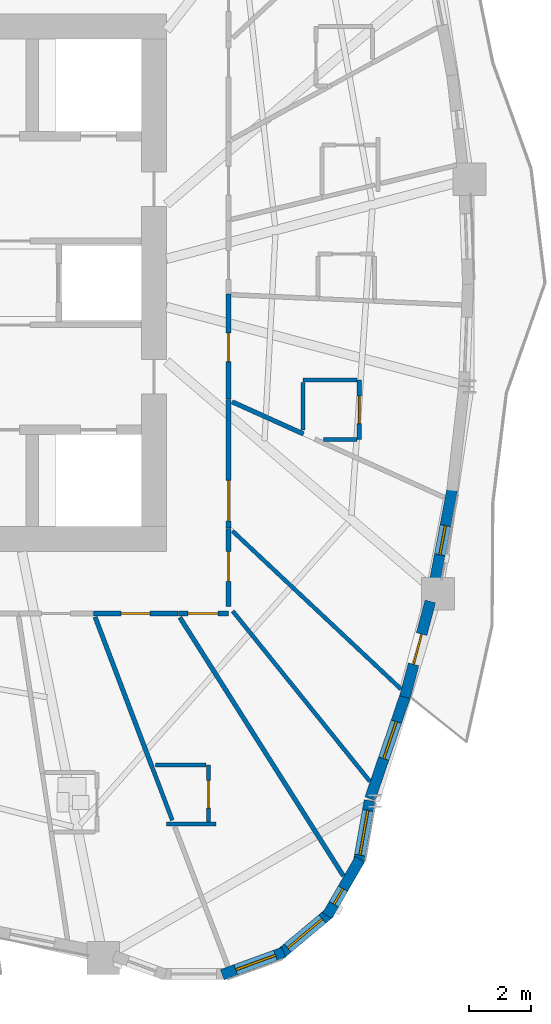
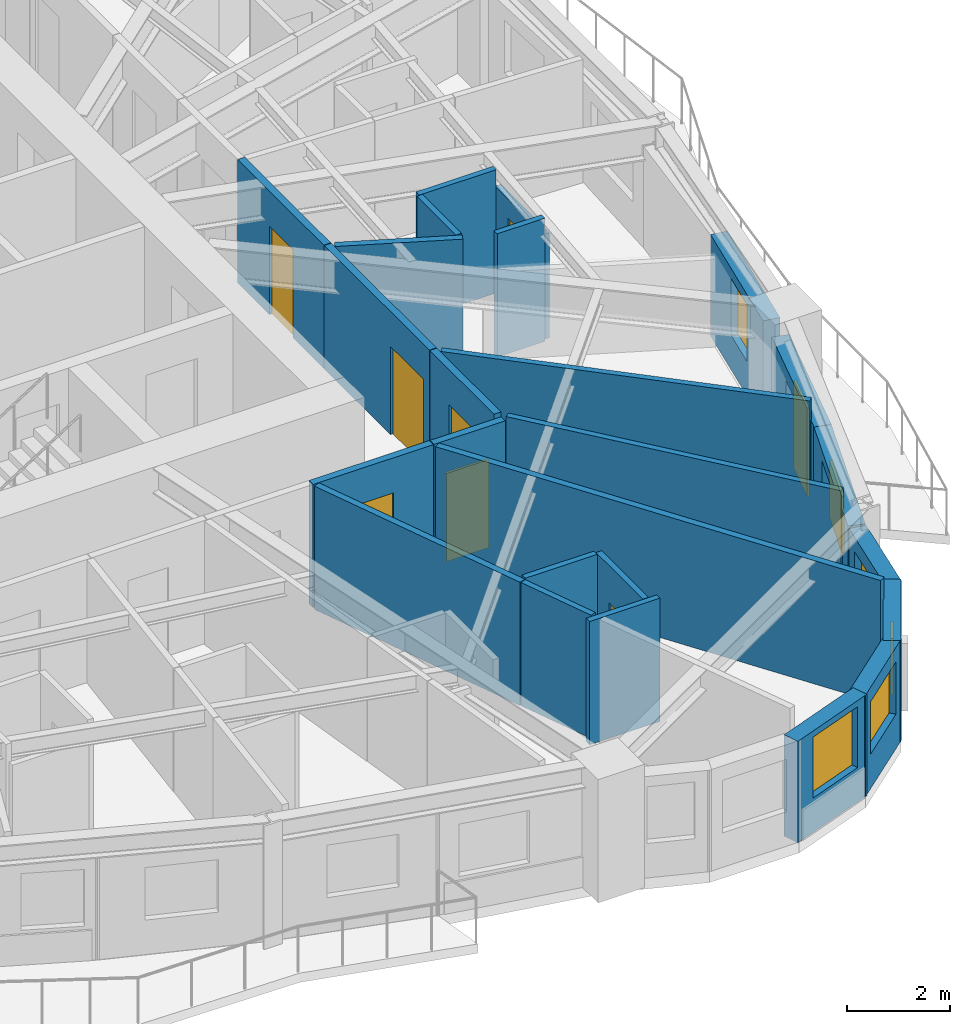
# One storey, part 6 of 14: 25 walls, 8 doors, 6 windows, 14 openings.
"""IFC4 building model written with IfcOpenShell, lengths in metres."""

from ifc_helpers import new_model, si_unit, direction, frame, frame_2d, origin, place, context, subcontext, project, spatial, rectangle, extrude, source, transform, mapped, material, layer, layer_set, type_object, element, fill, save


model = new_model("IFC4")

# Units and contexts
model_context = context("Model", 3, precision=1e-05, world=origin(), true_north=direction((0.0, 1.0)))
body_context = subcontext(model_context, "Body", "Model", "MODEL_VIEW")
ifc_project = project(units=[si_unit("LENGTHUNIT", "METRE"), si_unit("AREAUNIT", "SQUARE_METRE"), si_unit("VOLUMEUNIT", "CUBIC_METRE"), si_unit("PLANEANGLEUNIT", "RADIAN"), si_unit("MASSUNIT", "GRAM", prefix="KILO")], contexts=[model_context])

# Site, building, storey
site_placement = place(None, origin())
site = spatial("IfcSite", under=ifc_project, at=site_placement, CompositionType="ELEMENT")
building_placement = place(site_placement, origin())
building = spatial("IfcBuilding", under=site, at=building_placement, Name="Qafzar Sky-Pleat Residences", CompositionType="ELEMENT")
storey_placement = place(building_placement, frame((0.0, 0.0, 23.800048828125)))
storey = spatial("IfcBuildingStorey", under=building, at=storey_placement, Name="L06", CompositionType="ELEMENT", Elevation=23.800048828125)

# Wall, opening, door
ifc_material_1 = material(Name="Acoustic gypsum plasterboard partition", Category="gypsum")
ifc_layer_1 = layer(ifc_material_1, 0.159912109375)
ifc_layer_set_1 = layer_set([ifc_layer_1], Name="Acoustic gypsum plasterboard partition")
wall_type_1 = type_object("IfcWallType", Name="PART-COR-160", PredefinedType="PARTITIONING", material=ifc_layer_set_1)
wall_1_placement = place(storey_placement, frame((38.679931640625, 22.263916015625, 0.0), z_axis=(0.0, 0.0, 1.0), x_axis=(0.0, -1.0, 0.0)))
wall_1 = element("IfcWall", 1, at=wall_1_placement, inside=storey, type_object=wall_type_1, Name="L06 Partition Wall PART-L06-PW-004", PredefinedType="PARTITIONING", context=body_context, shape_type="SweptSolid", body=[
    extrude(rectangle(XDim=4.101806640625, YDim=0.159912109375, at=frame_2d((2.05078125, 0.0))), origin(), (0.0, 0.0, 1.0), 2.93505859375),
])
opening_1_placement = place(wall_1_placement, frame((2.58203125, 0.0, 0.0)))
opening_1 = element("IfcOpeningElement", 2, at=opening_1_placement, cuts=wall_1, Name="Opening ID-05", PredefinedType="OPENING", context=body_context, shape_type="SweptSolid", body=[
    extrude(rectangle(XDim=1.300048828125, YDim=2.10009765625, at=frame_2d((0.64990234375, 1.050048828125))), frame((0.0, 0.08984375, 0.0), z_axis=(0.0, -1.0, 0.0), x_axis=(1.0, 0.0, 0.0)), (0.0, 0.0, 1.0), 0.179931640625),
])
ifc_material_2 = material(Name="Timber-faced fire door", Category="wood")
door_type_1 = type_object("IfcDoorType", Name="DR-LNG-1300", OperationType="DOUBLE_DOOR_SINGLE_SWING", PredefinedType="DOOR", material=ifc_material_2)
shared_shape_1 = source(origin(), body_context, "Body", "SweptSolid", [
    extrude(rectangle(XDim=1.300048828125, YDim=2.10009765625, at=frame_2d((0.64990234375, 1.050048828125))), frame((0.0, 0.02490234375, 0.0), z_axis=(0.0, -1.0, 0.0), x_axis=(1.0, 0.0, 0.0)), (0.0, 0.0, 1.0), 0.050048828125),
])
door_1_placement = place(opening_1_placement, origin())
door_1 = element("IfcDoor", 3, at=door_1_placement, inside=storey, type_object=door_type_1, Name="L06 Communal Kitchen Door", OperationType="DOUBLE_DOOR_SINGLE_SWING", OverallHeight=2.10009765625, OverallWidth=1.300048828125, PredefinedType="DOOR", context=body_context, shape_type="MappedRepresentation", body=[
    mapped(shared_shape_1, transform((0.0, 0.0, 0.0), x_axis=(1.0, 0.0, 0.0), y_axis=(0.0, 1.0, 0.0), z_axis=(0.0, 0.0, 1.0), scale=1.0)),
])
fill(opening_1, door_1)

wall_2_placement = place(storey_placement, frame((38.679931640625, 25.64208984375, 0.0), z_axis=(0.0, 0.0, 1.0), x_axis=(0.0, -1.0, 0.0)))
wall_2 = element("IfcWall", 4, at=wall_2_placement, inside=storey, type_object=wall_type_1, Name="L06 Partition Wall PART-L06-PW-006", PredefinedType="PARTITIONING", context=body_context, shape_type="SweptSolid", body=[
    extrude(rectangle(XDim=3.363037109375, YDim=0.159912109375, at=frame_2d((1.681640625, 0.0))), origin(), (0.0, 0.0, 1.0), 2.93505859375),
])
opening_2_placement = place(wall_2_placement, frame((1.244384765625, 0.0, 0.0)))
opening_2 = element("IfcOpeningElement", 5, at=opening_2_placement, cuts=wall_2, Name="Opening ID-04", PredefinedType="OPENING", context=body_context, shape_type="SweptSolid", body=[
    extrude(rectangle(XDim=0.919921875, YDim=2.10009765625, at=frame_2d((0.4599609375, 1.050048828125))), frame((0.0, 0.08984375, 0.0), z_axis=(0.0, -1.0, 0.0), x_axis=(1.0, 0.0, 0.0)), (0.0, 0.0, 1.0), 0.179931640625),
])
door_type_2 = type_object("IfcDoorType", Name="DR-BED-920", OperationType="NOTDEFINED", PredefinedType="DOOR", material=ifc_material_2)
shared_shape_2 = source(origin(), body_context, "Body", "SweptSolid", [
    extrude(rectangle(XDim=0.919921875, YDim=2.10009765625, at=frame_2d((0.4599609375, 1.050048828125))), frame((0.0, 0.02490234375, 0.0), z_axis=(0.0, -1.0, 0.0), x_axis=(1.0, 0.0, 0.0)), (0.0, 0.0, 1.0), 0.050048828125),
])
door_2_placement = place(opening_2_placement, origin())
door_2 = element("IfcDoor", 6, at=door_2_placement, inside=storey, type_object=door_type_2, Name="L06 Co-Living Bedroom 10 Door", OperationType="SINGLE_SWING_LEFT", OverallHeight=2.10009765625, OverallWidth=0.919921875, PredefinedType="DOOR", context=body_context, shape_type="MappedRepresentation", body=[
    mapped(shared_shape_2, transform((0.0, 0.0, 0.0), x_axis=(1.0, 0.0, 0.0), y_axis=(0.0, 1.0, 0.0), z_axis=(0.0, 0.0, 1.0), scale=1.0)),
])
fill(opening_2, door_2)

wall_3_placement = place(storey_placement, frame((37.06298828125, 15.419921875, 0.0), z_axis=(0.0, 0.0, 1.0), x_axis=(-1.0, 0.0, 0.0)))
wall_3 = element("IfcWall", 7, at=wall_3_placement, inside=storey, type_object=wall_type_1, Name="L06 Partition Wall PART-L06-PW-010", PredefinedType="PARTITIONING", context=body_context, shape_type="SweptSolid", body=[
    extrude(rectangle(XDim=2.708984375, YDim=0.159912109375, at=frame_2d((1.3544921875, 0.0))), origin(), (0.0, 0.0, 1.0), 2.93505859375),
])
opening_3_placement = place(wall_3_placement, frame((0.8955078125, 0.0, 0.0)))
opening_3 = element("IfcOpeningElement", 8, at=opening_3_placement, cuts=wall_3, Name="Opening ID-04", PredefinedType="OPENING", context=body_context, shape_type="SweptSolid", body=[
    extrude(rectangle(XDim=0.919921875, YDim=2.10009765625, at=frame_2d((0.4599609375, 1.050048828125))), frame((0.0, 0.08984375, 0.0), z_axis=(0.0, -1.0, 0.0), x_axis=(1.0, 0.0, 0.0)), (0.0, 0.0, 1.0), 0.179931640625),
])
door_3_placement = place(opening_3_placement, origin())
door_3 = element("IfcDoor", 9, at=door_3_placement, inside=storey, type_object=door_type_2, Name="L06 Co-Living Bedroom 9 Door", OperationType="SINGLE_SWING_LEFT", OverallHeight=2.10009765625, OverallWidth=0.919921875, PredefinedType="DOOR", context=body_context, shape_type="MappedRepresentation", body=[
    mapped(shared_shape_2, transform((0.0, 0.0, 0.0), x_axis=(1.0, 0.0, 0.0), y_axis=(0.0, 1.0, 0.0), z_axis=(0.0, 0.0, 1.0), scale=1.0)),
])
fill(opening_3, door_3)

wall_4_placement = place(storey_placement, frame((38.679931640625, 18.14697265625, 0.0), z_axis=(0.0, 0.0, 1.0), x_axis=(0.0, -1.0, 0.0)))
wall_4 = element("IfcWall", 10, at=wall_4_placement, inside=storey, type_object=wall_type_1, Name="L06 Partition Wall PART-L06-PW-013", PredefinedType="PARTITIONING", context=body_context, shape_type="SweptSolid", body=[
    extrude(rectangle(XDim=2.5048828125, YDim=0.159912109375, at=frame_2d((1.25244140625, 0.0))), origin(), (0.0, 0.0, 1.0), 2.93505859375),
])
opening_4_placement = place(wall_4_placement, frame((0.74755859375, 0.0, 0.0)))
opening_4 = element("IfcOpeningElement", 11, at=opening_4_placement, cuts=wall_4, Name="Opening ID-08", PredefinedType="OPENING", context=body_context, shape_type="SweptSolid", body=[
    extrude(rectangle(XDim=0.949951171875, YDim=2.10009765625, at=frame_2d((0.47509765625, 1.050048828125))), frame((0.0, 0.08984375, 0.0), z_axis=(0.0, -1.0, 0.0), x_axis=(1.0, 0.0, 0.0)), (0.0, 0.0, 1.0), 0.179931640625),
])
door_type_3 = type_object("IfcDoorType", Name="DR-AWC-950", OperationType="NOTDEFINED", PredefinedType="DOOR", material=ifc_material_2)
shared_shape_3 = source(origin(), body_context, "Body", "SweptSolid", [
    extrude(rectangle(XDim=0.949951171875, YDim=2.10009765625, at=frame_2d((0.47509765625, 1.050048828125))), frame((0.0, 0.02490234375, 0.0), z_axis=(0.0, -1.0, 0.0), x_axis=(1.0, 0.0, 0.0)), (0.0, 0.0, 1.0), 0.050048828125),
])
door_4_placement = place(opening_4_placement, origin())
door_4 = element("IfcDoor", 12, at=door_4_placement, inside=storey, type_object=door_type_3, Name="L06 Accessible Shared Washroom Door", OperationType="SINGLE_SWING_RIGHT", OverallHeight=2.10009765625, OverallWidth=0.949951171875, PredefinedType="DOOR", context=body_context, shape_type="MappedRepresentation", body=[
    mapped(shared_shape_3, transform((0.0, 0.0, 0.0), x_axis=(1.0, 0.0, 0.0), y_axis=(0.0, 1.0, 0.0), z_axis=(0.0, 0.0, 1.0), scale=1.0)),
])
fill(opening_4, door_4)

wall_5_placement = place(storey_placement, frame((38.679931640625, 15.419921875, 0.0), z_axis=(0.0, 0.0, 1.0), x_axis=(-1.0, 0.0, 0.0)))
wall_5 = element("IfcWall", 13, at=wall_5_placement, inside=storey, type_object=wall_type_1, Name="L06 Partition Wall PART-L06-PW-031", PredefinedType="PARTITIONING", context=body_context, shape_type="SweptSolid", body=[
    extrude(rectangle(XDim=1.60205078125, YDim=0.159912109375, at=frame_2d((0.801025390625, 0.0))), origin(), (0.0, 0.0, 1.0), 2.93505859375),
])
opening_5_placement = place(wall_5_placement, frame((0.33740234375, 0.0, 0.0)))
opening_5 = element("IfcOpeningElement", 14, at=opening_5_placement, cuts=wall_5, Name="Opening ID-06", PredefinedType="OPENING", context=body_context, shape_type="SweptSolid", body=[
    extrude(rectangle(XDim=0.9599609375, YDim=2.10009765625, at=frame_2d((0.47998046875, 1.050048828125))), frame((0.0, 0.08984375, 0.0), z_axis=(0.0, -1.0, 0.0), x_axis=(1.0, 0.0, 0.0)), (0.0, 0.0, 1.0), 0.179931640625),
])
door_type_4 = type_object("IfcDoorType", Name="DR-STD-960", OperationType="NOTDEFINED", PredefinedType="DOOR", material=ifc_material_2)
shared_shape_4 = source(origin(), body_context, "Body", "SweptSolid", [
    extrude(rectangle(XDim=0.9599609375, YDim=2.10009765625, at=frame_2d((0.47998046875, 1.050048828125))), frame((0.0, 0.02490234375, 0.0), z_axis=(0.0, -1.0, 0.0), x_axis=(1.0, 0.0, 0.0)), (0.0, 0.0, 1.0), 0.050048828125),
])
door_5_placement = place(opening_5_placement, origin())
door_5 = element("IfcDoor", 15, at=door_5_placement, inside=storey, type_object=door_type_4, Name="L06 Scholar Study Room Door", OperationType="SINGLE_SWING_RIGHT", OverallHeight=2.10009765625, OverallWidth=0.9599609375, PredefinedType="DOOR", context=body_context, shape_type="MappedRepresentation", body=[
    mapped(shared_shape_4, transform((0.0, 0.0, 0.0), x_axis=(1.0, 0.0, 0.0), y_axis=(0.0, 1.0, 0.0), z_axis=(0.0, 0.0, 1.0), scale=1.0)),
])
fill(opening_5, door_5)

# Walls
ifc_layer_2 = layer(ifc_material_1, 0.14501953125)
ifc_layer_set_2 = layer_set([ifc_layer_2], Name="Acoustic gypsum plasterboard partition")
wall_type_2 = type_object("IfcWallType", Name="PART-UNIT-145", PredefinedType="PARTITIONING", material=ifc_layer_set_2)
wall_6_placement = place(storey_placement, frame((37.12451171875, 15.29443359375, 0.0), z_axis=(0.0, 0.0, 1.0), x_axis=(0.534743765269, -0.845014263492, 0.0)))
element("IfcWall", 16, at=wall_6_placement, inside=storey, type_object=wall_type_2, Name="L06 Partition Wall PART-L06-PW-040", PredefinedType="PARTITIONING", context=body_context, shape_type="SweptSolid", body=[
    extrude(rectangle(XDim=9.79736328125, YDim=0.14501953125, at=frame_2d((4.898681640625, 0.0))), origin(), (0.0, 0.0, 1.0), 2.93505859375),
])
wall_7_placement = place(storey_placement, frame((34.4130859375, 15.306884765625, 0.0), z_axis=(0.0, 0.0, 1.0), x_axis=(0.355171610573, -0.934801116304, 0.0)))
element("IfcWall", 17, at=wall_7_placement, inside=storey, type_object=wall_type_2, Name="L06 Partition Wall PART-L06-PW-048", PredefinedType="PARTITIONING", context=body_context, shape_type="SweptSolid", body=[
    extrude(rectangle(XDim=5.177490234375, YDim=0.14501953125, at=frame_2d((2.5888671875, 0.0))), origin(), (0.0, 0.0, 1.0), 2.93505859375),
])
wall_8_placement = place(storey_placement, frame((38.797119140625, 22.1953125, 0.0), z_axis=(0.0, 0.0, 1.0), x_axis=(0.911759201305, -0.410725162165, 0.0)))
element("IfcWall", 18, at=wall_8_placement, inside=storey, type_object=wall_type_2, Name="L06 Partition Wall PART-L06-PW-063", PredefinedType="PARTITIONING", context=body_context, shape_type="SweptSolid", body=[
    extrude(rectangle(XDim=2.506103515625, YDim=0.14501953125, at=frame_2d((1.2529296875, 0.0))), origin(), (0.0, 0.0, 1.0), 2.93505859375),
])

# Wall, opening, door
ifc_material_3 = material(Name="Moisture-resistant gypsum partition", Category="gypsum")
ifc_layer_3 = layer(ifc_material_3, 0.1298828125)
ifc_layer_set_3 = layer_set([ifc_layer_3], Name="Moisture-resistant gypsum partition")
wall_type_3 = type_object("IfcWallType", Name="PART-WET-130", PredefinedType="PARTITIONING", material=ifc_layer_set_3)
wall_9_placement = place(storey_placement, frame((38.037109375, 8.75, 0.0), z_axis=(0.0, 0.0, 1.0), x_axis=(0.0, 1.0, 0.0)))
wall_9 = element("IfcWall", 19, at=wall_9_placement, inside=storey, type_object=wall_type_3, Name="L06 Partition Wall PART-L06-PW-020", PredefinedType="PARTITIONING", context=body_context, shape_type="SweptSolid", body=[
    extrude(rectangle(XDim=1.826904296875, YDim=0.1298828125, at=frame_2d((0.91357421875, 0.0))), origin(), (0.0, 0.0, 1.0), 2.93505859375),
])
opening_6_placement = place(wall_9_placement, frame((0.43701171875, 0.0, 0.0)))
opening_6 = element("IfcOpeningElement", 20, at=opening_6_placement, cuts=wall_9, Name="Opening ID-07", PredefinedType="OPENING", context=body_context, shape_type="SweptSolid", body=[
    extrude(rectangle(XDim=0.8798828125, YDim=2.050048828125, at=frame_2d((0.43994140625, 1.02490234375))), frame((0.0, 0.074951171875, 0.0), z_axis=(0.0, -1.0, 0.0), x_axis=(1.0, 0.0, 0.0)), (0.0, 0.0, 1.0), 0.14990234375),
])
door_type_5 = type_object("IfcDoorType", Name="DR-WET-880", OperationType="NOTDEFINED", PredefinedType="DOOR", material=ifc_material_2)
shared_shape_5 = source(origin(), body_context, "Body", "SweptSolid", [
    extrude(rectangle(XDim=0.8798828125, YDim=2.050048828125, at=frame_2d((0.43994140625, 1.02490234375))), frame((0.0, 0.02490234375, 0.0), z_axis=(0.0, -1.0, 0.0), x_axis=(1.0, 0.0, 0.0)), (0.0, 0.0, 1.0), 0.050048828125),
])
door_6_placement = place(opening_6_placement, origin())
door_6 = element("IfcDoor", 21, at=door_6_placement, inside=storey, type_object=door_type_5, Name="L06 En-suite Bathroom 9 Door", OperationType="SINGLE_SWING_LEFT", OverallHeight=2.050048828125, OverallWidth=0.8798828125, PredefinedType="DOOR", context=body_context, shape_type="MappedRepresentation", body=[
    mapped(shared_shape_5, transform((0.0, 0.0, 0.0), x_axis=(1.0, 0.0, 0.0), y_axis=(0.0, 1.0, 0.0), z_axis=(0.0, 0.0, 1.0), scale=1.0)),
])
fill(opening_6, door_6)

wall_10_placement = place(storey_placement, frame((42.866943359375, 20.986083984375, 0.0), z_axis=(0.0, 0.0, 1.0), x_axis=(0.0, 1.0, 0.0)))
wall_10 = element("IfcWall", 22, at=wall_10_placement, inside=storey, type_object=wall_type_3, Name="L06 Partition Wall PART-L06-PW-023", PredefinedType="PARTITIONING", context=body_context, shape_type="SweptSolid", body=[
    extrude(rectangle(XDim=1.89990234375, YDim=0.1298828125, at=frame_2d((0.949951171875, 0.0))), origin(), (0.0, 0.0, 1.0), 2.5029296875),
])
opening_7_placement = place(wall_10_placement, frame((0.510009765625, 0.0, 0.0)))
opening_7 = element("IfcOpeningElement", 23, at=opening_7_placement, cuts=wall_10, Name="Opening ID-07", PredefinedType="OPENING", context=body_context, shape_type="SweptSolid", body=[
    extrude(rectangle(XDim=0.8798828125, YDim=2.050048828125, at=frame_2d((0.43994140625, 1.02490234375))), frame((0.0, 0.074951171875, 0.0), z_axis=(0.0, -1.0, 0.0), x_axis=(1.0, 0.0, 0.0)), (0.0, 0.0, 1.0), 0.14990234375),
])
door_7_placement = place(opening_7_placement, origin())
door_7 = element("IfcDoor", 24, at=door_7_placement, inside=storey, type_object=door_type_5, Name="L06 En-suite Bathroom 10 Door", OperationType="SINGLE_SWING_RIGHT", OverallHeight=2.050048828125, OverallWidth=0.8798828125, PredefinedType="DOOR", context=body_context, shape_type="MappedRepresentation", body=[
    mapped(shared_shape_5, transform((0.0, 0.0, 0.0), x_axis=(1.0, 0.0, 0.0), y_axis=(0.0, 1.0, 0.0), z_axis=(0.0, 0.0, 1.0), scale=1.0)),
])
fill(opening_7, door_7)

# Walls
wall_11_placement = place(storey_placement, frame((38.810302734375, 18.060791015625, 0.0), z_axis=(0.0, 0.0, 1.0), x_axis=(0.729196389153, -0.684304483433, 0.0)))
element("IfcWall", 25, at=wall_11_placement, inside=storey, type_object=wall_type_3, Name="L06 Partition Wall PART-L06-PW-045", PredefinedType="PARTITIONING", context=body_context, shape_type="SweptSolid", body=[
    extrude(rectangle(XDim=7.396240234375, YDim=0.1298828125, at=frame_2d((3.6982421875, 0.0))), origin(), (0.0, 0.0, 1.0), 2.93505859375),
])
wall_12_placement = place(storey_placement, frame((38.815673828125, 15.497802734375, 0.0), z_axis=(0.0, 0.0, 1.0), x_axis=(0.627528755525, -0.778593386171, 0.0)))
element("IfcWall", 26, at=wall_12_placement, inside=storey, type_object=wall_type_3, Name="L06 Partition Wall PART-L06-PW-046", PredefinedType="PARTITIONING", context=body_context, shape_type="SweptSolid", body=[
    extrude(rectangle(XDim=6.997802734375, YDim=0.1298828125, at=frame_2d((3.4990234375, 0.0))), origin(), (0.0, 0.0, 1.0), 2.93505859375),
])
wall_13_placement = place(storey_placement, frame((36.25732421875, 10.452880859375, 0.0), z_axis=(0.0, 0.0, 1.0), x_axis=(0.355345777079, -0.934734924303, 0.0)))
element("IfcWall", 27, at=wall_13_placement, inside=storey, type_object=wall_type_3, Name="L06 Partition Wall PART-L06-PW-068", PredefinedType="PARTITIONING", context=body_context, shape_type="SweptSolid", body=[
    extrude(rectangle(XDim=1.766357421875, YDim=0.1298828125, at=frame_2d((0.88330078125, 0.0))), origin(), (0.0, 0.0, 1.0), 2.93505859375),
])
wall_14_placement = place(storey_placement, frame((36.347412109375, 10.576904296875, 0.0), z_axis=(0.0, 0.0, 1.0), x_axis=(1.0, 0.0, 0.0)))
element("IfcWall", 28, at=wall_14_placement, inside=storey, type_object=wall_type_3, Name="L06 Partition Wall PART-L06-PW-076", PredefinedType="PARTITIONING", context=body_context, shape_type="SweptSolid", body=[
    extrude(rectangle(XDim=1.61669921875, YDim=0.1298828125, at=frame_2d((0.808349609375, 0.0))), origin(), (0.0, 0.0, 1.0), 2.93505859375),
])
wall_15_placement = place(storey_placement, frame((41.06689453125, 22.885986328125, 0.0), z_axis=(0.0, 0.0, 1.0), x_axis=(1.0, 0.0, 0.0)))
element("IfcWall", 29, at=wall_15_placement, inside=storey, type_object=wall_type_3, Name="L06 Partition Wall PART-L06-PW-077", PredefinedType="PARTITIONING", context=body_context, shape_type="SweptSolid", body=[
    extrude(rectangle(XDim=1.72705078125, YDim=0.1298828125, at=frame_2d((0.863525390625, 0.0))), origin(), (0.0, 0.0, 1.0), 2.93505859375),
])
wall_16_placement = place(storey_placement, frame((41.06689453125, 21.288818359375, 0.0), z_axis=(0.0, 0.0, 1.0), x_axis=(0.0, 1.0, 0.0)))
element("IfcWall", 30, at=wall_16_placement, inside=storey, type_object=wall_type_3, Name="L06 Partition Wall PART-L06-PW-082", PredefinedType="PARTITIONING", context=body_context, shape_type="SweptSolid", body=[
    extrude(rectangle(XDim=1.524169921875, YDim=0.1298828125, at=frame_2d((0.76220703125, 0.0))), origin(), (0.0, 0.0, 1.0), 2.93505859375),
])
wall_17_placement = place(storey_placement, frame((41.720947265625, 20.986083984375, 0.0), z_axis=(0.0, 0.0, 1.0), x_axis=(1.0, 0.0, 0.0)))
element("IfcWall", 31, at=wall_17_placement, inside=storey, type_object=wall_type_3, Name="L06 Partition Wall PART-L06-PW-091", PredefinedType="PARTITIONING", context=body_context, shape_type="SweptSolid", body=[
    extrude(rectangle(XDim=1.072998046875, YDim=0.1298828125, at=frame_2d((0.53662109375, 0.0))), origin(), (0.0, 0.0, 1.0), 2.93505859375),
])
wall_18_placement = place(storey_placement, frame((36.69189453125, 8.677001953125, 0.0), z_axis=(0.0, 0.0, 1.0), x_axis=(1.0, 0.0, 0.0)))
element("IfcWall", 32, at=wall_18_placement, inside=storey, type_object=wall_type_3, Name="L06 Partition Wall PART-L06-PW-096", PredefinedType="PARTITIONING", context=body_context, shape_type="SweptSolid", body=[
    extrude(rectangle(XDim=1.585205078125, YDim=0.1298828125, at=frame_2d((0.79248046875, 0.0))), origin(), (0.0, 0.0, 1.0), 2.93505859375),
])

# Wall, opening, window
ifc_material_4 = material(Name="Precast concrete C40/50 with honed Riyadh limestone", Category="concrete")
ifc_layer_4 = layer(ifc_material_4, 0.35009765625)
ifc_layer_set_4 = layer_set([ifc_layer_4], Name="Precast concrete C40/50 with honed Riyadh limestone")
wall_type_4 = type_object("IfcWallType", Name="WALL-EXT-350", PredefinedType="SOLIDWALL", material=ifc_layer_set_4)
wall_19_placement = place(storey_placement, frame((38.484130859375, 3.859619140625, 0.0), z_axis=(0.0, 0.0, 1.0), x_axis=(0.939711556618, 0.341968113072, 0.0)))
wall_19 = element("IfcWall", 33, at=wall_19_placement, inside=storey, type_object=wall_type_4, Name="L06 Limestone Facade Wall 19", PredefinedType="SOLIDWALL", context=body_context, shape_type="SweptSolid", body=[
    extrude(rectangle(XDim=2.09033203125, YDim=0.35009765625, at=frame_2d((1.045166015625, 0.0))), origin(), (0.0, 0.0, 1.0), 2.4150390625),
])
opening_8_placement = place(wall_19_placement, frame((0.459228515625, 0.0, 0.820068359375)))
opening_8 = element("IfcOpeningElement", 34, at=opening_8_placement, cuts=wall_19, Name="Opening WN-04", PredefinedType="OPENING", context=body_context, shape_type="SweptSolid", body=[
    extrude(rectangle(XDim=1.35009765625, YDim=1.449951171875, at=frame_2d((0.675048828125, 0.72509765625))), frame((0.0, 0.18505859375, 0.0), z_axis=(0.0, -1.0, 0.0), x_axis=(1.0, 0.0, 0.0)), (0.0, 0.0, 1.0), 0.3701171875),
])
ifc_material_5 = material(Name="Solar-control low-E glass in bronze aluminium frame", Category="glass")
window_type_1 = type_object("IfcWindowType", Name="WIN-04", PartitioningType="SINGLE_PANEL", PredefinedType="WINDOW", material=ifc_material_5)
shared_shape_6 = source(origin(), body_context, "Body", "SweptSolid", [
    extrude(rectangle(XDim=1.35009765625, YDim=1.449951171875, at=frame_2d((0.675048828125, 0.72509765625))), frame((0.0, 0.030029296875, 0.0), z_axis=(0.0, -1.0, 0.0), x_axis=(1.0, 0.0, 0.0)), (0.0, 0.0, 1.0), 0.06005859375),
])
window_1_placement = place(opening_8_placement, origin())
window_1 = element("IfcWindow", 35, at=window_1_placement, inside=storey, type_object=window_type_1, Name="L06 Punched Facade Window 19", OverallHeight=1.449951171875, OverallWidth=1.35009765625, PartitioningType="SINGLE_PANEL", PredefinedType="WINDOW", context=body_context, shape_type="MappedRepresentation", body=[
    mapped(shared_shape_6, transform((0.0, 0.0, 0.0), x_axis=(1.0, 0.0, 0.0), y_axis=(0.0, 1.0, 0.0), z_axis=(0.0, 0.0, 1.0), scale=1.0)),
])
fill(opening_8, window_1)

wall_20_placement = place(storey_placement, frame((40.330810546875, 4.506591796875, 0.0), z_axis=(0.0, 0.0, 1.0), x_axis=(0.766024572719, 0.642811289563, 0.0)))
wall_20 = element("IfcWall", 36, at=wall_20_placement, inside=storey, type_object=wall_type_4, Name="L06 Limestone Facade Wall 20", PredefinedType="SOLIDWALL", context=body_context, shape_type="SweptSolid", body=[
    extrude(rectangle(XDim=2.09033203125, YDim=0.35009765625, at=frame_2d((1.045166015625, 0.0))), origin(), (0.0, 0.0, 1.0), 2.4150390625),
])
opening_9_placement = place(wall_20_placement, frame((0.3203125, 0.0, 0.820068359375)))
opening_9 = element("IfcOpeningElement", 37, at=opening_9_placement, cuts=wall_20, Name="Opening WN-15", PredefinedType="OPENING", context=body_context, shape_type="SweptSolid", body=[
    extrude(rectangle(XDim=1.449951171875, YDim=1.25, at=frame_2d((0.72509765625, 0.625))), frame((0.0, 0.18505859375, 0.0), z_axis=(0.0, -1.0, 0.0), x_axis=(1.0, 0.0, 0.0)), (0.0, 0.0, 1.0), 0.3701171875),
])
window_type_2 = type_object("IfcWindowType", Name="WIN-15", PartitioningType="SINGLE_PANEL", PredefinedType="WINDOW", material=ifc_material_5)
shared_shape_7 = source(origin(), body_context, "Body", "SweptSolid", [
    extrude(rectangle(XDim=1.449951171875, YDim=1.25, at=frame_2d((0.72509765625, 0.625))), frame((0.0, 0.030029296875, 0.0), z_axis=(0.0, -1.0, 0.0), x_axis=(1.0, 0.0, 0.0)), (0.0, 0.0, 1.0), 0.06005859375),
])
window_2_placement = place(opening_9_placement, origin())
window_2 = element("IfcWindow", 38, at=window_2_placement, inside=storey, type_object=window_type_2, Name="L06 Punched Facade Window 20", OverallHeight=1.25, OverallWidth=1.449951171875, PartitioningType="SINGLE_PANEL", PredefinedType="WINDOW", context=body_context, shape_type="MappedRepresentation", body=[
    mapped(shared_shape_7, transform((0.0, 0.0, 0.0), x_axis=(1.0, 0.0, 0.0), y_axis=(0.0, 1.0, 0.0), z_axis=(0.0, 0.0, 1.0), scale=1.0)),
])
fill(opening_9, window_2)

wall_21_placement = place(storey_placement, frame((41.844970703125, 5.746337890625, 0.0), z_axis=(0.0, 0.0, 1.0), x_axis=(0.499995423472, 0.866028046028, 0.0)))
wall_21 = element("IfcWall", 39, at=wall_21_placement, inside=storey, type_object=wall_type_4, Name="L06 Limestone Facade Wall 21", PredefinedType="SOLIDWALL", context=body_context, shape_type="SweptSolid", body=[
    extrude(rectangle(XDim=2.09033203125, YDim=0.35009765625, at=frame_2d((1.045166015625, 0.0))), origin(), (0.0, 0.0, 1.0), 2.4150390625),
])
opening_10_placement = place(wall_21_placement, frame((0.423828125, 0.0, 0.820068359375)))
opening_10 = element("IfcOpeningElement", 40, at=opening_10_placement, cuts=wall_21, Name="Opening WN-17", PredefinedType="OPENING", context=body_context, shape_type="SweptSolid", body=[
    extrude(rectangle(XDim=0.580078125, YDim=1.35009765625, at=frame_2d((0.2900390625, 0.675048828125))), frame((0.0, 0.18505859375, 0.0), z_axis=(0.0, -1.0, 0.0), x_axis=(1.0, 0.0, 0.0)), (0.0, 0.0, 1.0), 0.3701171875),
])
window_type_3 = type_object("IfcWindowType", Name="WIN-17", PartitioningType="SINGLE_PANEL", PredefinedType="WINDOW", material=ifc_material_5)
shared_shape_8 = source(origin(), body_context, "Body", "SweptSolid", [
    extrude(rectangle(XDim=0.580078125, YDim=1.35009765625, at=frame_2d((0.2900390625, 0.675048828125))), frame((0.0, 0.030029296875, 0.0), z_axis=(0.0, -1.0, 0.0), x_axis=(1.0, 0.0, 0.0)), (0.0, 0.0, 1.0), 0.06005859375),
])
window_3_placement = place(opening_10_placement, origin())
window_3 = element("IfcWindow", 41, at=window_3_placement, inside=storey, type_object=window_type_3, Name="L06 Punched Facade Window 21", OverallHeight=1.35009765625, OverallWidth=0.580078125, PartitioningType="SINGLE_PANEL", PredefinedType="WINDOW", context=body_context, shape_type="MappedRepresentation", body=[
    mapped(shared_shape_8, transform((0.0, 0.0, 0.0), x_axis=(1.0, 0.0, 0.0), y_axis=(0.0, 1.0, 0.0), z_axis=(0.0, 0.0, 1.0), scale=1.0)),
])
fill(opening_10, window_3)

wall_22_placement = place(storey_placement, frame((42.84375, 7.42919921875, 0.0), z_axis=(0.0, 0.0, 1.0), x_axis=(0.17370309897, 0.984798067326, 0.0)))
wall_22 = element("IfcWall", 42, at=wall_22_placement, inside=storey, type_object=wall_type_4, Name="L06 Limestone Facade Wall 22", PredefinedType="SOLIDWALL", context=body_context, shape_type="SweptSolid", body=[
    extrude(rectangle(XDim=2.032470703125, YDim=0.35009765625, at=frame_2d((1.01611328125, 0.0))), origin(), (0.0, 0.0, 1.0), 2.4150390625),
])
opening_11_placement = place(wall_22_placement, frame((0.26123046875, 0.0, 0.820068359375)))
opening_11 = element("IfcOpeningElement", 43, at=opening_11_placement, cuts=wall_22, Name="Opening WN-15", PredefinedType="OPENING", context=body_context, shape_type="SweptSolid", body=[
    extrude(rectangle(XDim=1.449951171875, YDim=1.25, at=frame_2d((0.72509765625, 0.625))), frame((0.0, 0.18505859375, 0.0), z_axis=(0.0, -1.0, 0.0), x_axis=(1.0, 0.0, 0.0)), (0.0, 0.0, 1.0), 0.3701171875),
])
window_4_placement = place(opening_11_placement, origin())
window_4 = element("IfcWindow", 44, at=window_4_placement, inside=storey, type_object=window_type_2, Name="L06 Punched Facade Window 22", OverallHeight=1.25, OverallWidth=1.449951171875, PartitioningType="SINGLE_PANEL", PredefinedType="WINDOW", context=body_context, shape_type="MappedRepresentation", body=[
    mapped(shared_shape_7, transform((0.0, 0.0, 0.0), x_axis=(1.0, 0.0, 0.0), y_axis=(0.0, 1.0, 0.0), z_axis=(0.0, 0.0, 1.0), scale=1.0)),
])
fill(opening_11, window_4)

wall_23_placement = place(storey_placement, frame((43.21337890625, 9.49560546875, 0.0), z_axis=(0.0, 0.0, 1.0), x_axis=(0.323599506414, 0.946194144692, 0.0)))
wall_23 = element("IfcWall", 45, at=wall_23_placement, inside=storey, type_object=wall_type_4, Name="L06 Limestone Facade Wall 23", PredefinedType="SOLIDWALL", context=body_context, shape_type="SweptSolid", body=[
    extrude(rectangle(XDim=3.5224609375, YDim=0.35009765625, at=frame_2d((1.76123046875, 0.0))), origin(), (0.0, 0.0, 1.0), 2.4150390625),
])
opening_12_placement = place(wall_23_placement, frame((1.35107421875, 0.0, 0.820068359375)))
opening_12 = element("IfcOpeningElement", 46, at=opening_12_placement, cuts=wall_23, Name="Opening WN-11", PredefinedType="OPENING", context=body_context, shape_type="SweptSolid", body=[
    extrude(rectangle(XDim=1.25, YDim=1.35009765625, at=frame_2d((0.625, 0.675048828125))), frame((0.0, 0.18505859375, 0.0), z_axis=(0.0, -1.0, 0.0), x_axis=(1.0, 0.0, 0.0)), (0.0, 0.0, 1.0), 0.3701171875),
])
window_type_4 = type_object("IfcWindowType", Name="WIN-11", PartitioningType="SINGLE_PANEL", PredefinedType="WINDOW", material=ifc_material_5)
shared_shape_9 = source(origin(), body_context, "Body", "SweptSolid", [
    extrude(rectangle(XDim=1.25, YDim=1.35009765625, at=frame_2d((0.625, 0.675048828125))), frame((0.0, 0.030029296875, 0.0), z_axis=(0.0, -1.0, 0.0), x_axis=(1.0, 0.0, 0.0)), (0.0, 0.0, 1.0), 0.06005859375),
])
window_5_placement = place(opening_12_placement, origin())
window_5 = element("IfcWindow", 47, at=window_5_placement, inside=storey, type_object=window_type_4, Name="L06 Punched Facade Window 23-2", OverallHeight=1.35009765625, OverallWidth=1.25, PartitioningType="SINGLE_PANEL", PredefinedType="WINDOW", context=body_context, shape_type="MappedRepresentation", body=[
    mapped(shared_shape_9, transform((0.0, 0.0, 0.0), x_axis=(1.0, 0.0, 0.0), y_axis=(0.0, 1.0, 0.0), z_axis=(0.0, 0.0, 1.0), scale=1.0)),
])
fill(opening_12, window_5)

# Wall, opening, door
wall_24_placement = place(storey_placement, frame((44.32763671875, 12.744384765625, 0.0), z_axis=(0.0, 0.0, 1.0), x_axis=(0.257063268192, 0.966394575806, 0.0)))
wall_24 = element("IfcWall", 48, at=wall_24_placement, inside=storey, type_object=wall_type_4, Name="L06 Limestone Facade Wall 24", PredefinedType="SOLIDWALL", context=body_context, shape_type="SweptSolid", body=[
    extrude(rectangle(XDim=3.169189453125, YDim=0.35009765625, at=frame_2d((1.58447265625, 0.0))), origin(), (0.0, 0.0, 1.0), 2.4150390625),
])
opening_13_placement = place(wall_24_placement, frame((1.084716796875, 0.0, 0.0)))
opening_13 = element("IfcOpeningElement", 49, at=opening_13_placement, cuts=wall_24, Name="Opening ED-05", PredefinedType="OPENING", context=body_context, shape_type="SweptSolid", body=[
    extrude(rectangle(XDim=1.0, YDim=2.10009765625, at=frame_2d((0.5, 1.050048828125))), frame((0.0, 0.18505859375, 0.0), z_axis=(0.0, -1.0, 0.0), x_axis=(1.0, 0.0, 0.0)), (0.0, 0.0, 1.0), 0.3701171875),
])
ifc_material_6 = material(Name="Glazed bronze aluminium door", Category="aluminium")
door_type_6 = type_object("IfcDoorType", Name="DR-BAL-1000", OperationType="NOTDEFINED", PredefinedType="DOOR", material=ifc_material_6)
shared_shape_10 = source(origin(), body_context, "Body", "SweptSolid", [
    extrude(rectangle(XDim=1.0, YDim=2.10009765625, at=frame_2d((0.5, 1.050048828125))), frame((0.0, 0.02490234375, 0.0), z_axis=(0.0, -1.0, 0.0), x_axis=(1.0, 0.0, 0.0)), (0.0, 0.0, 1.0), 0.050048828125),
])
door_8_placement = place(opening_13_placement, origin())
door_8 = element("IfcDoor", 50, at=door_8_placement, inside=storey, type_object=door_type_6, Name="L06 Glazed Balcony Door 1", OperationType="SINGLE_SWING_LEFT", OverallHeight=2.10009765625, OverallWidth=1.0, PredefinedType="DOOR", context=body_context, shape_type="MappedRepresentation", body=[
    mapped(shared_shape_10, transform((0.0, 0.0, 0.0), x_axis=(1.0, 0.0, 0.0), y_axis=(0.0, 1.0, 0.0), z_axis=(0.0, 0.0, 1.0), scale=1.0)),
])
fill(opening_13, door_8)

# Wall, opening, window
wall_25_placement = place(storey_placement, frame((45.272705078125, 16.37939453125, 0.0), z_axis=(0.0, 0.0, 1.0), x_axis=(0.186712111557, 0.982414671815, 0.0)))
wall_25 = element("IfcWall", 51, at=wall_25_placement, inside=storey, type_object=wall_type_4, Name="L06 Limestone Facade Wall 25", PredefinedType="SOLIDWALL", context=body_context, shape_type="SweptSolid", body=[
    extrude(rectangle(XDim=3.11328125, YDim=0.35009765625, at=frame_2d((1.556640625, 0.0))), origin(), (0.0, 0.0, 1.0), 2.4150390625),
])
opening_14_placement = place(wall_25_placement, frame((0.938720703125, 0.0, 0.820068359375)))
opening_14 = element("IfcOpeningElement", 52, at=opening_14_placement, cuts=wall_25, Name="Opening WN-12", PredefinedType="OPENING", context=body_context, shape_type="SweptSolid", body=[
    extrude(rectangle(XDim=0.949951171875, YDim=1.35009765625, at=frame_2d((0.47509765625, 0.675048828125))), frame((0.0, 0.18505859375, 0.0), z_axis=(0.0, -1.0, 0.0), x_axis=(1.0, 0.0, 0.0)), (0.0, 0.0, 1.0), 0.3701171875),
])
window_type_5 = type_object("IfcWindowType", Name="WIN-12", PartitioningType="SINGLE_PANEL", PredefinedType="WINDOW", material=ifc_material_5)
shared_shape_11 = source(origin(), body_context, "Body", "SweptSolid", [
    extrude(rectangle(XDim=0.949951171875, YDim=1.35009765625, at=frame_2d((0.47509765625, 0.675048828125))), frame((0.0, 0.030029296875, 0.0), z_axis=(0.0, -1.0, 0.0), x_axis=(1.0, 0.0, 0.0)), (0.0, 0.0, 1.0), 0.06005859375),
])
window_6_placement = place(opening_14_placement, origin())
window_6 = element("IfcWindow", 53, at=window_6_placement, inside=storey, type_object=window_type_5, Name="L06 Punched Facade Window 25", OverallHeight=1.35009765625, OverallWidth=0.949951171875, PartitioningType="SINGLE_PANEL", PredefinedType="WINDOW", context=body_context, shape_type="MappedRepresentation", body=[
    mapped(shared_shape_11, transform((0.0, 0.0, 0.0), x_axis=(1.0, 0.0, 0.0), y_axis=(0.0, 1.0, 0.0), z_axis=(0.0, 0.0, 1.0), scale=1.0)),
])
fill(opening_14, window_6)

save(model, "model.ifc")
